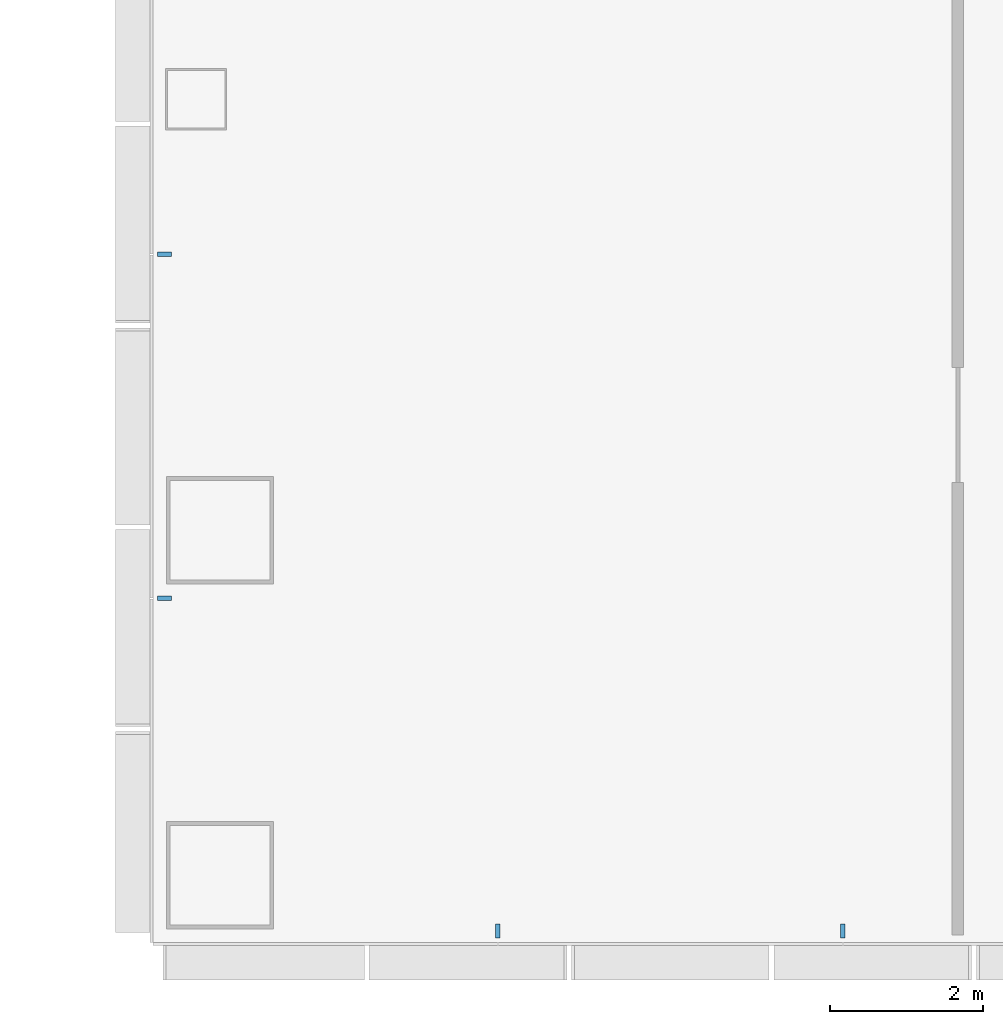
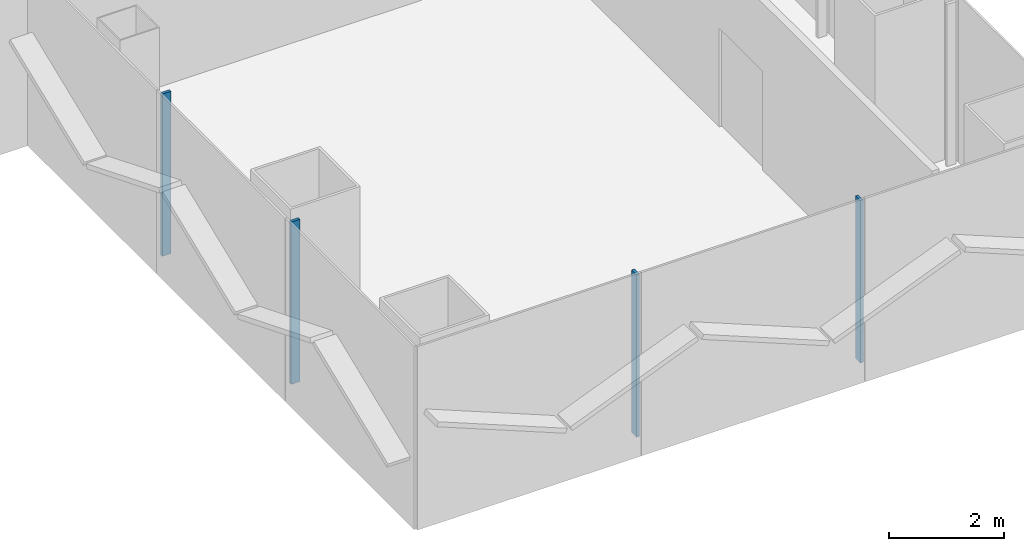
# One storey, part 3 of 21: 4 members, 2 elements without a shape of their own.
"""IFC4 building model written with IfcOpenShell, lengths in metres."""

from ifc_helpers import new_model, si_unit, direction, frame, origin, origin_2d, place, context, subcontext, project, spatial, rectangle, extrude, material, layer, layer_set, material_profile, profile_set, type_object, element, aggregate, save


model = new_model("IFC4")

# Units and contexts
model_context = context("Model", 3, precision=1e-05, world=origin(), true_north=direction((0.0, 1.0)))
body_context = subcontext(model_context, "Body", "Model", "MODEL_VIEW")
ifc_project = project(units=[si_unit("LENGTHUNIT", "METRE"), si_unit("AREAUNIT", "SQUARE_METRE"), si_unit("VOLUMEUNIT", "CUBIC_METRE"), si_unit("PLANEANGLEUNIT", "RADIAN"), si_unit("MASSUNIT", "GRAM", prefix="KILO")], contexts=[model_context])

# Site, building, storey
site_placement = place(None, origin())
site = spatial("IfcSite", under=ifc_project, at=site_placement, CompositionType="ELEMENT")
building_placement = place(site_placement, origin())
building = spatial("IfcBuilding", under=site, at=building_placement, Name="Shamsa Quay Exchange Towers", CompositionType="ELEMENT")
storey_placement = place(building_placement, frame((0.0, 0.0, 57.60009765625)))
storey = spatial("IfcBuildingStorey", under=building, at=storey_placement, Name="L12", CompositionType="ELEMENT", Elevation=57.60009765625)

# Curtain wall, members
ifc_material = material(Name="Aluminium EN AW-6063 T6, black anodised", Category="aluminium")
ifc_layer = layer(ifc_material, 0.280029296875)
ifc_layer_set = layer_set([ifc_layer], Name="CW-1 UNITISED VISION GLASS")
curtain_wall_type = type_object("IfcCurtainWallType", Name="CW-1 UNITISED VISION GLASS", PredefinedType="NOTDEFINED", material=ifc_layer_set)
curtain_wall_1_placement = place(storey_placement, origin())
curtain_wall_1 = element("IfcCurtainWall", 1, at=curtain_wall_1_placement, inside=storey, type_object=curtain_wall_type, Name="CW1 T1-FLK-V-W L12", PredefinedType="NOTDEFINED")
ifc_material_profile = material_profile(ifc_material, rectangle(XDim=0.179931640625, YDim=0.06005859375, at=origin_2d()), Name="MU60x180")
ifc_profile_set = profile_set([ifc_material_profile], Name="Aluminium EN AW-6063 T6, black anodised")
member_type = type_object("IfcMemberType", Name="CW1 MULLION 60x180", PredefinedType="MULLION", material=ifc_profile_set)
member_1_placement = place(storey_placement, frame((-40.35009765625, -15.775390625, 0.0)))
member_1 = element("IfcMember", 2, at=member_1_placement, type_object=member_type, Name="CW1 mullion", PredefinedType="MULLION", context=body_context, shape_type="SweptSolid", body=[
    extrude(rectangle(XDim=0.179931640625, YDim=0.06005859375, at=origin_2d()), origin(), (0.0, 0.0, 1.0), 3.449951171875),
])
member_2_placement = place(storey_placement, frame((-40.35009765625, -20.2626953125, 0.0)))
member_2 = element("IfcMember", 3, at=member_2_placement, type_object=member_type, Name="CW1 mullion", PredefinedType="MULLION", context=body_context, shape_type="SweptSolid", body=[
    extrude(rectangle(XDim=0.179931640625, YDim=0.06005859375, at=origin_2d()), origin(), (0.0, 0.0, 1.0), 3.449951171875),
])
aggregate(curtain_wall_1, [member_1, member_2])

curtain_wall_2_placement = place(storey_placement, origin())
curtain_wall_2 = element("IfcCurtainWall", 4, at=curtain_wall_2_placement, inside=storey, type_object=curtain_wall_type, Name="CW1 T1-END-V- L12", PredefinedType="NOTDEFINED")
member_3_placement = place(storey_placement, frame((-36.0, -24.60009765625, 0.0), z_axis=(0.0, 0.0, 1.0), x_axis=(0.0, 1.0, 0.0)))
member_3 = element("IfcMember", 5, at=member_3_placement, type_object=member_type, Name="CW1 mullion", PredefinedType="MULLION", context=body_context, shape_type="SweptSolid", body=[
    extrude(rectangle(XDim=0.179931640625, YDim=0.06005859375, at=origin_2d()), origin(), (0.0, 0.0, 1.0), 3.449951171875),
])
member_4_placement = place(storey_placement, frame((-31.5, -24.60009765625, 0.0), z_axis=(0.0, 0.0, 1.0), x_axis=(0.0, 1.0, 0.0)))
member_4 = element("IfcMember", 6, at=member_4_placement, type_object=member_type, Name="CW1 mullion", PredefinedType="MULLION", context=body_context, shape_type="SweptSolid", body=[
    extrude(rectangle(XDim=0.179931640625, YDim=0.06005859375, at=origin_2d()), origin(), (0.0, 0.0, 1.0), 3.449951171875),
])
aggregate(curtain_wall_2, [member_3, member_4])

save(model, "model.ifc")
